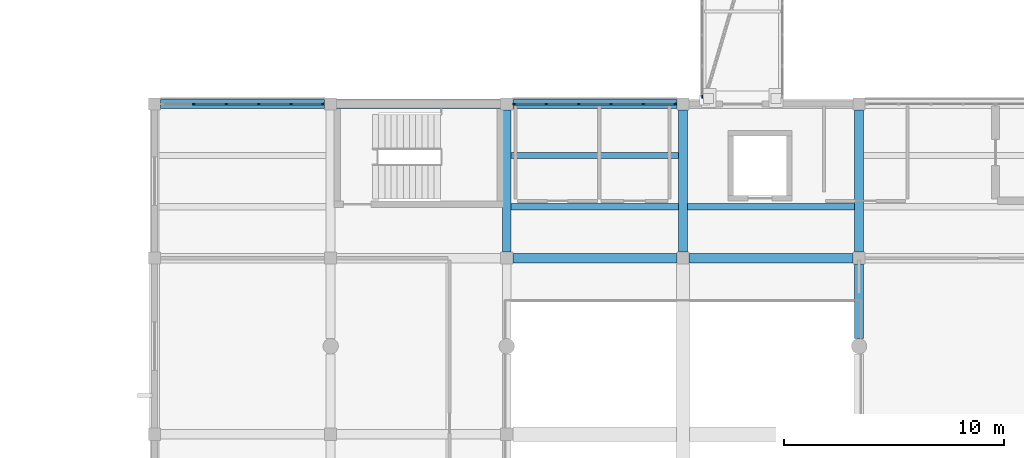
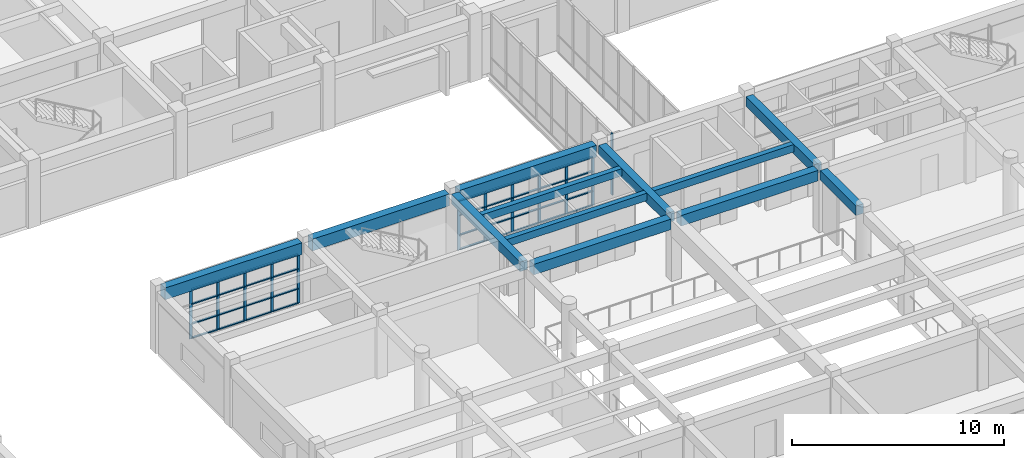
# One storey, part 17 of 66: 48 members, 12 beams, 3 elements without a shape of their own.
"""IFC4 building model written with IfcOpenShell, lengths in metres."""

from ifc_helpers import new_model, si_unit, direction, frame, origin, origin_2d, place, context, subcontext, project, spatial, rectangle, extrude, material, layer, layer_set, material_profile, profile_set, type_object, element, aggregate, save


model = new_model("IFC4")

# Units and contexts
model_context = context("Model", 3, precision=1e-05, world=origin(), true_north=direction((0.0, 1.0)))
body_context = subcontext(model_context, "Body", "Model", "MODEL_VIEW")
ifc_project = project(units=[si_unit("LENGTHUNIT", "METRE"), si_unit("AREAUNIT", "SQUARE_METRE"), si_unit("VOLUMEUNIT", "CUBIC_METRE"), si_unit("PLANEANGLEUNIT", "RADIAN"), si_unit("MASSUNIT", "GRAM", prefix="KILO")], contexts=[model_context])

# Site, building, storey
site_placement = place(None, origin())
site = spatial("IfcSite", under=ifc_project, at=site_placement, CompositionType="ELEMENT")
building_placement = place(site_placement, origin())
building = spatial("IfcBuilding", under=site, at=building_placement, Name="Naurynzar Civic Courthouse", CompositionType="ELEMENT")
storey_placement = place(building_placement, frame((0.0, 0.0, 14.39990234375)))
storey = spatial("IfcBuildingStorey", under=building, at=storey_placement, Name="L04", CompositionType="ELEMENT", Elevation=14.39990234375)

# Beams
ifc_material_1 = material(Name="Concrete C40/50", Category="concrete")
ifc_material_profile_1 = material_profile(ifc_material_1, rectangle(XDim=0.27490234375, YDim=0.425048828125, at=origin_2d()), Name="RCB 275x425")
ifc_profile_set_1 = profile_set([ifc_material_profile_1], Name="Concrete C40/50")
beam_type_1 = type_object("IfcBeamType", Name="BM-JST-275x425", PredefinedType="JOIST", material=ifc_profile_set_1)
for number, where, z_axis, x_axis, name in (
    (1, (85.199951171875, 27.333251953125, 3.34765625), (1.0, 0.0, 0.0), (0.0, 1.0, 0.0), "V3 secondary rib 1562 L04"),
    (2, (85.199951171875, 29.666748046875, 3.34765625), (1.0, 0.0, 0.0), (0.0, 1.0, 0.0), "V3 secondary rib 1563 L04"),
    (3, (93.199951171875, 27.333251953125, 3.34765625), (1.0, 0.0, 0.0), (0.0, 1.0, 0.0), "V3 secondary rib 1564 L04"),
):
    element("IfcBeam", number, at=place(storey_placement, frame(where, z_axis=z_axis, x_axis=x_axis)), inside=storey, type_object=beam_type_1, Name=name, PredefinedType="JOIST", context=body_context, shape_type="SweptSolid", body=[
        extrude(rectangle(XDim=0.27490234375, YDim=0.425048828125, at=origin_2d()), origin(), (0.0, 0.0, 1.0), 7.60009765625),
    ])
ifc_material_2 = material(Name="Concrete C40/50", Category="concrete")
ifc_material_profile_2 = material_profile(ifc_material_2, rectangle(XDim=0.39990234375, YDim=0.550048828125, at=origin_2d()), Name="RCB 400x550")
ifc_profile_set_2 = profile_set([ifc_material_profile_2], Name="Concrete C40/50")
beam_type_2 = type_object("IfcBeamType", Name="BM-RC-400x550", PredefinedType="BEAM", material=ifc_profile_set_2)
for number, where, z_axis, x_axis, name in (
    (4, (85.0, 25.27490234375, 3.28515625), (0.0, 1.0, 0.0), (-1.0, 0.0, 0.0), "V3 girder Y-1532 L04"),
    (5, (93.0, 25.27490234375, 3.28515625), (0.0, 1.0, 0.0), (-1.0, 0.0, 0.0), "V3 girder Y-1535 L04"),
):
    element("IfcBeam", number, at=place(storey_placement, frame(where, z_axis=z_axis, x_axis=x_axis)), inside=storey, type_object=beam_type_2, Name=name, PredefinedType="BEAM", context=body_context, shape_type="SweptSolid", body=[
        extrude(rectangle(XDim=0.39990234375, YDim=0.550048828125, at=origin_2d()), origin(), (0.0, 0.0, 1.0), 6.4501953125),
    ])
beam_1_placement = place(storey_placement, frame((101.0, 21.35009765625, 3.28515625), z_axis=(0.0, 1.0, 0.0), x_axis=(-1.0, 0.0, 0.0)))
element("IfcBeam", 6, at=beam_1_placement, inside=storey, type_object=beam_type_2, Name="V3 girder Y-1539 L04", PredefinedType="BEAM", context=body_context, shape_type="SweptSolid", body=[
    extrude(rectangle(XDim=0.39990234375, YDim=0.550048828125, at=origin_2d()), origin(), (0.0, 0.0, 1.0), 3.375),
])
beam_2_placement = place(storey_placement, frame((101.0, 25.27490234375, 3.28515625), z_axis=(0.0, 1.0, 0.0), x_axis=(-1.0, 0.0, 0.0)))
element("IfcBeam", 7, at=beam_2_placement, inside=storey, type_object=beam_type_2, Name="V3 girder Y-1540 L04", PredefinedType="BEAM", context=body_context, shape_type="SweptSolid", body=[
    extrude(rectangle(XDim=0.39990234375, YDim=0.550048828125, at=origin_2d()), origin(), (0.0, 0.0, 1.0), 6.4501953125),
])
ifc_material_3 = material(Name="Concrete C40/50", Category="concrete")
ifc_material_profile_3 = material_profile(ifc_material_3, rectangle(XDim=0.425048828125, YDim=0.60009765625, at=origin_2d()), Name="RCB 425x600")
ifc_profile_set_3 = profile_set([ifc_material_profile_3], Name="Concrete C40/50")
beam_type_3 = type_object("IfcBeamType", Name="BM-RC-425x600", PredefinedType="BEAM", material=ifc_profile_set_3)
for number, where, z_axis, x_axis, name in (
    (8, (85.27490234375, 25.0, 3.260009765625), (1.0, 0.0, 0.0), (0.0, 1.0, 0.0), "V3 beam X-1509 L04"),
    (9, (93.27490234375, 25.0, 3.260009765625), (1.0, 0.0, 0.0), (0.0, 1.0, 0.0), "V3 beam X-1510 L04"),
):
    element("IfcBeam", number, at=place(storey_placement, frame(where, z_axis=z_axis, x_axis=x_axis)), inside=storey, type_object=beam_type_3, Name=name, PredefinedType="BEAM", context=body_context, shape_type="SweptSolid", body=[
        extrude(rectangle(XDim=0.425048828125, YDim=0.60009765625, at=origin_2d()), origin(), (0.0, 0.0, 1.0), 7.4501953125),
    ])
ifc_material_4 = material(Name="Concrete C40/50", Category="concrete")
ifc_material_profile_4 = material_profile(ifc_material_4, rectangle(XDim=0.425048828125, YDim=0.675048828125, at=origin_2d()), Name="RCB 425x675")
ifc_profile_set_4 = profile_set([ifc_material_profile_4], Name="Concrete C40/50")
beam_type_4 = type_object("IfcBeamType", Name="BM-RC-425x675", PredefinedType="SPANDREL", material=ifc_profile_set_4)
for number, where, z_axis, x_axis, name in (
    (10, (69.27490234375, 32.0, 3.22265625), (1.0, 0.0, 0.0), (0.0, 1.0, 0.0), "V3 beam X-1513 L04"),
    (11, (77.27490234375, 32.0, 3.22265625), (1.0, 0.0, 0.0), (0.0, 1.0, 0.0), "V3 beam X-1514 L04"),
    (12, (85.27490234375, 32.0, 3.22265625), (1.0, 0.0, 0.0), (0.0, 1.0, 0.0), "V3 beam X-1515 L04"),
):
    element("IfcBeam", number, at=place(storey_placement, frame(where, z_axis=z_axis, x_axis=x_axis)), inside=storey, type_object=beam_type_4, Name=name, PredefinedType="SPANDREL", context=body_context, shape_type="SweptSolid", body=[
        extrude(rectangle(XDim=0.425048828125, YDim=0.675048828125, at=origin_2d()), origin(), (0.0, 0.0, 1.0), 7.4501953125),
    ])

# Curtain wall, members
ifc_material_5 = material(Name="Aluminium 6063-T6", Category="aluminium")
ifc_layer_1 = layer(ifc_material_5, 0.179931640625)
ifc_layer_set_1 = layer_set([ifc_layer_1], Name="CW-UNIT-1500")
curtain_wall_type_1 = type_object("IfcCurtainWallType", Name="CW-UNIT-1500", PredefinedType="NOTDEFINED", material=ifc_layer_set_1)
curtain_wall_1_placement = place(storey_placement, origin())
curtain_wall_1 = element("IfcCurtainWall", 13, at=curtain_wall_1_placement, inside=storey, type_object=curtain_wall_type_1, Name="V3 unitised curtain wall 70 L04", PredefinedType="NOTDEFINED")
ifc_material_6 = material(Name="Aluminium 6063-T6", Category="aluminium")
ifc_material_profile_5 = material_profile(ifc_material_6, rectangle(XDim=0.06005859375, YDim=0.14990234375, at=origin_2d()), Name="ALU MULLION 60x150")
ifc_profile_set_5 = profile_set([ifc_material_profile_5], Name="Aluminium 6063-T6")
member_type_1 = type_object("IfcMemberType", Name="CWM-60x150", PredefinedType="MULLION", material=ifc_profile_set_5)
member_1_placement = place(storey_placement, frame((70.794921875, 32.0, 0.0), z_axis=(0.0, 0.0, 1.0), x_axis=(0.0, 1.0, 0.0)))
member_1 = element("IfcMember", 14, at=member_1_placement, type_object=member_type_1, Name="CW-01 mullion 2", PredefinedType="MULLION", context=body_context, shape_type="SweptSolid", body=[
    extrude(rectangle(XDim=0.06005859375, YDim=0.14990234375, at=origin_2d()), origin(), (0.0, 0.0, 1.0), 2.840087890625),
])
member_2_placement = place(storey_placement, frame((72.264892578125, 32.0, 0.0), z_axis=(0.0, 0.0, 1.0), x_axis=(0.0, 1.0, 0.0)))
member_2 = element("IfcMember", 15, at=member_2_placement, type_object=member_type_1, Name="CW-01 mullion 3", PredefinedType="MULLION", context=body_context, shape_type="SweptSolid", body=[
    extrude(rectangle(XDim=0.06005859375, YDim=0.14990234375, at=origin_2d()), origin(), (0.0, 0.0, 1.0), 2.840087890625),
])
member_3_placement = place(storey_placement, frame((73.735107421875, 32.0, 0.0), z_axis=(0.0, 0.0, 1.0), x_axis=(0.0, 1.0, 0.0)))
member_3 = element("IfcMember", 16, at=member_3_placement, type_object=member_type_1, Name="CW-01 mullion 4", PredefinedType="MULLION", context=body_context, shape_type="SweptSolid", body=[
    extrude(rectangle(XDim=0.06005859375, YDim=0.14990234375, at=origin_2d()), origin(), (0.0, 0.0, 1.0), 2.840087890625),
])
member_4_placement = place(storey_placement, frame((75.205078125, 32.0, 0.0), z_axis=(0.0, 0.0, 1.0), x_axis=(0.0, 1.0, 0.0)))
member_4 = element("IfcMember", 17, at=member_4_placement, type_object=member_type_1, Name="CW-01 mullion 5", PredefinedType="MULLION", context=body_context, shape_type="SweptSolid", body=[
    extrude(rectangle(XDim=0.06005859375, YDim=0.14990234375, at=origin_2d()), origin(), (0.0, 0.0, 1.0), 2.840087890625),
])
member_5_placement = place(storey_placement, frame((76.64501953125, 32.0, 0.0), z_axis=(0.0, 0.0, 1.0), x_axis=(0.0, 1.0, 0.0)))
member_5 = element("IfcMember", 18, at=member_5_placement, type_object=member_type_1, Name="CW-01 mullion 6", PredefinedType="MULLION", context=body_context, shape_type="SweptSolid", body=[
    extrude(rectangle(XDim=0.06005859375, YDim=0.14990234375, at=origin_2d()), origin(), (0.0, 0.0, 1.0), 2.840087890625),
])

curtain_wall_2_placement = place(storey_placement, origin())
curtain_wall_2 = element("IfcCurtainWall", 19, at=curtain_wall_2_placement, inside=storey, type_object=curtain_wall_type_1, Name="V3 unitised curtain wall 71 L04", PredefinedType="NOTDEFINED")
member_6_placement = place(storey_placement, frame((85.35498046875, 32.0, 0.0), z_axis=(0.0, 0.0, 1.0), x_axis=(0.0, 1.0, 0.0)))
member_6 = element("IfcMember", 20, at=member_6_placement, type_object=member_type_1, Name="CW-01 mullion 1", PredefinedType="MULLION", context=body_context, shape_type="SweptSolid", body=[
    extrude(rectangle(XDim=0.06005859375, YDim=0.14990234375, at=origin_2d()), origin(), (0.0, 0.0, 1.0), 2.840087890625),
])
member_7_placement = place(storey_placement, frame((86.794921875, 32.0, 0.0), z_axis=(0.0, 0.0, 1.0), x_axis=(0.0, 1.0, 0.0)))
member_7 = element("IfcMember", 21, at=member_7_placement, type_object=member_type_1, Name="CW-01 mullion 2", PredefinedType="MULLION", context=body_context, shape_type="SweptSolid", body=[
    extrude(rectangle(XDim=0.06005859375, YDim=0.14990234375, at=origin_2d()), origin(), (0.0, 0.0, 1.0), 2.840087890625),
])
member_8_placement = place(storey_placement, frame((88.264892578125, 32.0, 0.0), z_axis=(0.0, 0.0, 1.0), x_axis=(0.0, 1.0, 0.0)))
member_8 = element("IfcMember", 22, at=member_8_placement, type_object=member_type_1, Name="CW-01 mullion 3", PredefinedType="MULLION", context=body_context, shape_type="SweptSolid", body=[
    extrude(rectangle(XDim=0.06005859375, YDim=0.14990234375, at=origin_2d()), origin(), (0.0, 0.0, 1.0), 2.840087890625),
])
member_9_placement = place(storey_placement, frame((89.735107421875, 32.0, 0.0), z_axis=(0.0, 0.0, 1.0), x_axis=(0.0, 1.0, 0.0)))
member_9 = element("IfcMember", 23, at=member_9_placement, type_object=member_type_1, Name="CW-01 mullion 4", PredefinedType="MULLION", context=body_context, shape_type="SweptSolid", body=[
    extrude(rectangle(XDim=0.06005859375, YDim=0.14990234375, at=origin_2d()), origin(), (0.0, 0.0, 1.0), 2.840087890625),
])
member_10_placement = place(storey_placement, frame((91.205078125, 32.0, 0.0), z_axis=(0.0, 0.0, 1.0), x_axis=(0.0, 1.0, 0.0)))
member_10 = element("IfcMember", 24, at=member_10_placement, type_object=member_type_1, Name="CW-01 mullion 5", PredefinedType="MULLION", context=body_context, shape_type="SweptSolid", body=[
    extrude(rectangle(XDim=0.06005859375, YDim=0.14990234375, at=origin_2d()), origin(), (0.0, 0.0, 1.0), 2.840087890625),
])
member_11_placement = place(storey_placement, frame((92.64501953125, 32.0, 0.0), z_axis=(0.0, 0.0, 1.0), x_axis=(0.0, 1.0, 0.0)))
member_11 = element("IfcMember", 25, at=member_11_placement, type_object=member_type_1, Name="CW-01 mullion 6", PredefinedType="MULLION", context=body_context, shape_type="SweptSolid", body=[
    extrude(rectangle(XDim=0.06005859375, YDim=0.14990234375, at=origin_2d()), origin(), (0.0, 0.0, 1.0), 2.840087890625),
])

# Curtain wall, member
ifc_material_7 = material(Name="Aluminium 6063-T6", Category="aluminium")
ifc_layer_2 = layer(ifc_material_7, 0.14990234375)
ifc_layer_set_2 = layer_set([ifc_layer_2], Name="CW-BRIDGE-1500")
curtain_wall_type_2 = type_object("IfcCurtainWallType", Name="CW-BRIDGE-1500", PredefinedType="USERDEFINED", material=ifc_layer_set_2)
curtain_wall_3_placement = place(storey_placement, origin())
curtain_wall_3 = element("IfcCurtainWall", 26, at=curtain_wall_3_placement, inside=storey, type_object=curtain_wall_type_2, Name="BR-C1 glazed bridge screen L04.1", ObjectType="GLAZED BRIDGE SCREEN", PredefinedType="USERDEFINED")
member_12_placement = place(storey_placement, frame((93.8798828125, 32.330078125, 0.0), z_axis=(0.0, 0.0, 1.0), x_axis=(1.0, 0.0, 0.0)))
member_12 = element("IfcMember", 27, at=member_12_placement, type_object=member_type_1, Name="CW-03 mullion 9", PredefinedType="MULLION", context=body_context, shape_type="SweptSolid", body=[
    extrude(rectangle(XDim=0.06005859375, YDim=0.14990234375, at=origin_2d()), origin(), (0.0, 0.0, 1.0), 3.52001953125),
])
aggregate(curtain_wall_3, [member_12])

# Member
ifc_material_8 = material(Name="Aluminium 6063-T6", Category="aluminium")
ifc_material_profile_6 = material_profile(ifc_material_8, rectangle(XDim=0.110107421875, YDim=0.06005859375, at=origin_2d()), Name="ALU TRANSOM 60x110")
ifc_profile_set_6 = profile_set([ifc_material_profile_6], Name="Aluminium 6063-T6")
member_type_2 = type_object("IfcMemberType", Name="CWT-60x110", PredefinedType="USERDEFINED", material=ifc_profile_set_6)
member_13_placement = place(storey_placement, frame((70.824951171875, 32.0, 0.030029296875), z_axis=(1.0, 0.0, 0.0), x_axis=(0.0, 1.0, 0.0)))
member_13 = element("IfcMember", 28, at=member_13_placement, type_object=member_type_2, Name="CW-01 transom 2.1", ObjectType="TRANSOM", PredefinedType="USERDEFINED", context=body_context, shape_type="SweptSolid", body=[
    extrude(rectangle(XDim=0.110107421875, YDim=0.06005859375, at=origin_2d()), origin(), (0.0, 0.0, 1.0), 1.41015625),
])

member_14_placement = place(storey_placement, frame((70.824951171875, 32.0, 0.85009765625), z_axis=(1.0, 0.0, 0.0), x_axis=(0.0, 1.0, 0.0)))
member_14 = element("IfcMember", 29, at=member_14_placement, type_object=member_type_2, Name="CW-01 transom 2.2", ObjectType="TRANSOM", PredefinedType="USERDEFINED", context=body_context, shape_type="SweptSolid", body=[
    extrude(rectangle(XDim=0.110107421875, YDim=0.06005859375, at=origin_2d()), origin(), (0.0, 0.0, 1.0), 1.41015625),
])

member_15_placement = place(storey_placement, frame((70.824951171875, 32.0, 1.989990234375), z_axis=(1.0, 0.0, 0.0), x_axis=(0.0, 1.0, 0.0)))
member_15 = element("IfcMember", 30, at=member_15_placement, type_object=member_type_2, Name="CW-01 transom 2.3", ObjectType="TRANSOM", PredefinedType="USERDEFINED", context=body_context, shape_type="SweptSolid", body=[
    extrude(rectangle(XDim=0.110107421875, YDim=0.06005859375, at=origin_2d()), origin(), (0.0, 0.0, 1.0), 1.41015625),
])

member_16_placement = place(storey_placement, frame((70.824951171875, 32.0, 2.81005859375), z_axis=(1.0, 0.0, 0.0), x_axis=(0.0, 1.0, 0.0)))
member_16 = element("IfcMember", 31, at=member_16_placement, type_object=member_type_2, Name="CW-01 transom 2.4", ObjectType="TRANSOM", PredefinedType="USERDEFINED", context=body_context, shape_type="SweptSolid", body=[
    extrude(rectangle(XDim=0.110107421875, YDim=0.06005859375, at=origin_2d()), origin(), (0.0, 0.0, 1.0), 1.41015625),
])

member_17_placement = place(storey_placement, frame((72.294921875, 32.0, 0.030029296875), z_axis=(1.0, 0.0, 0.0), x_axis=(0.0, 1.0, 0.0)))
member_17 = element("IfcMember", 32, at=member_17_placement, type_object=member_type_2, Name="CW-01 transom 3.1", ObjectType="TRANSOM", PredefinedType="USERDEFINED", context=body_context, shape_type="SweptSolid", body=[
    extrude(rectangle(XDim=0.110107421875, YDim=0.06005859375, at=origin_2d()), origin(), (0.0, 0.0, 1.0), 1.41015625),
])

member_18_placement = place(storey_placement, frame((72.294921875, 32.0, 0.85009765625), z_axis=(1.0, 0.0, 0.0), x_axis=(0.0, 1.0, 0.0)))
member_18 = element("IfcMember", 33, at=member_18_placement, type_object=member_type_2, Name="CW-01 transom 3.2", ObjectType="TRANSOM", PredefinedType="USERDEFINED", context=body_context, shape_type="SweptSolid", body=[
    extrude(rectangle(XDim=0.110107421875, YDim=0.06005859375, at=origin_2d()), origin(), (0.0, 0.0, 1.0), 1.41015625),
])

member_19_placement = place(storey_placement, frame((72.294921875, 32.0, 1.989990234375), z_axis=(1.0, 0.0, 0.0), x_axis=(0.0, 1.0, 0.0)))
member_19 = element("IfcMember", 34, at=member_19_placement, type_object=member_type_2, Name="CW-01 transom 3.3", ObjectType="TRANSOM", PredefinedType="USERDEFINED", context=body_context, shape_type="SweptSolid", body=[
    extrude(rectangle(XDim=0.110107421875, YDim=0.06005859375, at=origin_2d()), origin(), (0.0, 0.0, 1.0), 1.41015625),
])

member_20_placement = place(storey_placement, frame((72.294921875, 32.0, 2.81005859375), z_axis=(1.0, 0.0, 0.0), x_axis=(0.0, 1.0, 0.0)))
member_20 = element("IfcMember", 35, at=member_20_placement, type_object=member_type_2, Name="CW-01 transom 3.4", ObjectType="TRANSOM", PredefinedType="USERDEFINED", context=body_context, shape_type="SweptSolid", body=[
    extrude(rectangle(XDim=0.110107421875, YDim=0.06005859375, at=origin_2d()), origin(), (0.0, 0.0, 1.0), 1.41015625),
])

member_21_placement = place(storey_placement, frame((73.764892578125, 32.0, 0.030029296875), z_axis=(1.0, 0.0, 0.0), x_axis=(0.0, 1.0, 0.0)))
member_21 = element("IfcMember", 36, at=member_21_placement, type_object=member_type_2, Name="CW-01 transom 4.1", ObjectType="TRANSOM", PredefinedType="USERDEFINED", context=body_context, shape_type="SweptSolid", body=[
    extrude(rectangle(XDim=0.110107421875, YDim=0.06005859375, at=origin_2d()), origin(), (0.0, 0.0, 1.0), 1.41015625),
])

member_22_placement = place(storey_placement, frame((73.764892578125, 32.0, 0.85009765625), z_axis=(1.0, 0.0, 0.0), x_axis=(0.0, 1.0, 0.0)))
member_22 = element("IfcMember", 37, at=member_22_placement, type_object=member_type_2, Name="CW-01 transom 4.2", ObjectType="TRANSOM", PredefinedType="USERDEFINED", context=body_context, shape_type="SweptSolid", body=[
    extrude(rectangle(XDim=0.110107421875, YDim=0.06005859375, at=origin_2d()), origin(), (0.0, 0.0, 1.0), 1.41015625),
])

member_23_placement = place(storey_placement, frame((73.764892578125, 32.0, 1.989990234375), z_axis=(1.0, 0.0, 0.0), x_axis=(0.0, 1.0, 0.0)))
member_23 = element("IfcMember", 38, at=member_23_placement, type_object=member_type_2, Name="CW-01 transom 4.3", ObjectType="TRANSOM", PredefinedType="USERDEFINED", context=body_context, shape_type="SweptSolid", body=[
    extrude(rectangle(XDim=0.110107421875, YDim=0.06005859375, at=origin_2d()), origin(), (0.0, 0.0, 1.0), 1.41015625),
])

member_24_placement = place(storey_placement, frame((73.764892578125, 32.0, 2.81005859375), z_axis=(1.0, 0.0, 0.0), x_axis=(0.0, 1.0, 0.0)))
member_24 = element("IfcMember", 39, at=member_24_placement, type_object=member_type_2, Name="CW-01 transom 4.4", ObjectType="TRANSOM", PredefinedType="USERDEFINED", context=body_context, shape_type="SweptSolid", body=[
    extrude(rectangle(XDim=0.110107421875, YDim=0.06005859375, at=origin_2d()), origin(), (0.0, 0.0, 1.0), 1.41015625),
])

member_25_placement = place(storey_placement, frame((75.235107421875, 32.0, 0.030029296875), z_axis=(1.0, 0.0, 0.0), x_axis=(0.0, 1.0, 0.0)))
member_25 = element("IfcMember", 40, at=member_25_placement, type_object=member_type_2, Name="CW-01 transom 5.1", ObjectType="TRANSOM", PredefinedType="USERDEFINED", context=body_context, shape_type="SweptSolid", body=[
    extrude(rectangle(XDim=0.110107421875, YDim=0.06005859375, at=origin_2d()), origin(), (0.0, 0.0, 1.0), 1.3798828125),
])

member_26_placement = place(storey_placement, frame((75.235107421875, 32.0, 0.85009765625), z_axis=(1.0, 0.0, 0.0), x_axis=(0.0, 1.0, 0.0)))
member_26 = element("IfcMember", 41, at=member_26_placement, type_object=member_type_2, Name="CW-01 transom 5.2", ObjectType="TRANSOM", PredefinedType="USERDEFINED", context=body_context, shape_type="SweptSolid", body=[
    extrude(rectangle(XDim=0.110107421875, YDim=0.06005859375, at=origin_2d()), origin(), (0.0, 0.0, 1.0), 1.3798828125),
])

member_27_placement = place(storey_placement, frame((75.235107421875, 32.0, 1.989990234375), z_axis=(1.0, 0.0, 0.0), x_axis=(0.0, 1.0, 0.0)))
member_27 = element("IfcMember", 42, at=member_27_placement, type_object=member_type_2, Name="CW-01 transom 5.3", ObjectType="TRANSOM", PredefinedType="USERDEFINED", context=body_context, shape_type="SweptSolid", body=[
    extrude(rectangle(XDim=0.110107421875, YDim=0.06005859375, at=origin_2d()), origin(), (0.0, 0.0, 1.0), 1.3798828125),
])

member_28_placement = place(storey_placement, frame((75.235107421875, 32.0, 2.81005859375), z_axis=(1.0, 0.0, 0.0), x_axis=(0.0, 1.0, 0.0)))
member_28 = element("IfcMember", 43, at=member_28_placement, type_object=member_type_2, Name="CW-01 transom 5.4", ObjectType="TRANSOM", PredefinedType="USERDEFINED", context=body_context, shape_type="SweptSolid", body=[
    extrude(rectangle(XDim=0.110107421875, YDim=0.06005859375, at=origin_2d()), origin(), (0.0, 0.0, 1.0), 1.3798828125),
])

aggregate(curtain_wall_1, [member_1, member_2, member_3, member_4, member_5, member_13, member_14, member_15, member_16, member_17, member_18, member_19, member_20, member_21, member_22, member_23, member_24, member_25, member_26, member_27, member_28])

member_29_placement = place(storey_placement, frame((85.385009765625, 32.0, 0.030029296875), z_axis=(1.0, 0.0, 0.0), x_axis=(0.0, 1.0, 0.0)))
member_29 = element("IfcMember", 44, at=member_29_placement, type_object=member_type_2, Name="CW-01 transom 1.1", ObjectType="TRANSOM", PredefinedType="USERDEFINED", context=body_context, shape_type="SweptSolid", body=[
    extrude(rectangle(XDim=0.110107421875, YDim=0.06005859375, at=origin_2d()), origin(), (0.0, 0.0, 1.0), 1.3798828125),
])

member_30_placement = place(storey_placement, frame((85.385009765625, 32.0, 0.85009765625), z_axis=(1.0, 0.0, 0.0), x_axis=(0.0, 1.0, 0.0)))
member_30 = element("IfcMember", 45, at=member_30_placement, type_object=member_type_2, Name="CW-01 transom 1.2", ObjectType="TRANSOM", PredefinedType="USERDEFINED", context=body_context, shape_type="SweptSolid", body=[
    extrude(rectangle(XDim=0.110107421875, YDim=0.06005859375, at=origin_2d()), origin(), (0.0, 0.0, 1.0), 1.3798828125),
])

member_31_placement = place(storey_placement, frame((85.385009765625, 32.0, 1.989990234375), z_axis=(1.0, 0.0, 0.0), x_axis=(0.0, 1.0, 0.0)))
member_31 = element("IfcMember", 46, at=member_31_placement, type_object=member_type_2, Name="CW-01 transom 1.3", ObjectType="TRANSOM", PredefinedType="USERDEFINED", context=body_context, shape_type="SweptSolid", body=[
    extrude(rectangle(XDim=0.110107421875, YDim=0.06005859375, at=origin_2d()), origin(), (0.0, 0.0, 1.0), 1.3798828125),
])

member_32_placement = place(storey_placement, frame((85.385009765625, 32.0, 2.81005859375), z_axis=(1.0, 0.0, 0.0), x_axis=(0.0, 1.0, 0.0)))
member_32 = element("IfcMember", 47, at=member_32_placement, type_object=member_type_2, Name="CW-01 transom 1.4", ObjectType="TRANSOM", PredefinedType="USERDEFINED", context=body_context, shape_type="SweptSolid", body=[
    extrude(rectangle(XDim=0.110107421875, YDim=0.06005859375, at=origin_2d()), origin(), (0.0, 0.0, 1.0), 1.3798828125),
])

member_33_placement = place(storey_placement, frame((86.824951171875, 32.0, 0.030029296875), z_axis=(1.0, 0.0, 0.0), x_axis=(0.0, 1.0, 0.0)))
member_33 = element("IfcMember", 48, at=member_33_placement, type_object=member_type_2, Name="CW-01 transom 2.1", ObjectType="TRANSOM", PredefinedType="USERDEFINED", context=body_context, shape_type="SweptSolid", body=[
    extrude(rectangle(XDim=0.110107421875, YDim=0.06005859375, at=origin_2d()), origin(), (0.0, 0.0, 1.0), 1.41015625),
])

member_34_placement = place(storey_placement, frame((86.824951171875, 32.0, 0.85009765625), z_axis=(1.0, 0.0, 0.0), x_axis=(0.0, 1.0, 0.0)))
member_34 = element("IfcMember", 49, at=member_34_placement, type_object=member_type_2, Name="CW-01 transom 2.2", ObjectType="TRANSOM", PredefinedType="USERDEFINED", context=body_context, shape_type="SweptSolid", body=[
    extrude(rectangle(XDim=0.110107421875, YDim=0.06005859375, at=origin_2d()), origin(), (0.0, 0.0, 1.0), 1.41015625),
])

member_35_placement = place(storey_placement, frame((86.824951171875, 32.0, 1.989990234375), z_axis=(1.0, 0.0, 0.0), x_axis=(0.0, 1.0, 0.0)))
member_35 = element("IfcMember", 50, at=member_35_placement, type_object=member_type_2, Name="CW-01 transom 2.3", ObjectType="TRANSOM", PredefinedType="USERDEFINED", context=body_context, shape_type="SweptSolid", body=[
    extrude(rectangle(XDim=0.110107421875, YDim=0.06005859375, at=origin_2d()), origin(), (0.0, 0.0, 1.0), 1.41015625),
])

member_36_placement = place(storey_placement, frame((86.824951171875, 32.0, 2.81005859375), z_axis=(1.0, 0.0, 0.0), x_axis=(0.0, 1.0, 0.0)))
member_36 = element("IfcMember", 51, at=member_36_placement, type_object=member_type_2, Name="CW-01 transom 2.4", ObjectType="TRANSOM", PredefinedType="USERDEFINED", context=body_context, shape_type="SweptSolid", body=[
    extrude(rectangle(XDim=0.110107421875, YDim=0.06005859375, at=origin_2d()), origin(), (0.0, 0.0, 1.0), 1.41015625),
])

member_37_placement = place(storey_placement, frame((88.294921875, 32.0, 0.030029296875), z_axis=(1.0, 0.0, 0.0), x_axis=(0.0, 1.0, 0.0)))
member_37 = element("IfcMember", 52, at=member_37_placement, type_object=member_type_2, Name="CW-01 transom 3.1", ObjectType="TRANSOM", PredefinedType="USERDEFINED", context=body_context, shape_type="SweptSolid", body=[
    extrude(rectangle(XDim=0.110107421875, YDim=0.06005859375, at=origin_2d()), origin(), (0.0, 0.0, 1.0), 1.41015625),
])

member_38_placement = place(storey_placement, frame((88.294921875, 32.0, 0.85009765625), z_axis=(1.0, 0.0, 0.0), x_axis=(0.0, 1.0, 0.0)))
member_38 = element("IfcMember", 53, at=member_38_placement, type_object=member_type_2, Name="CW-01 transom 3.2", ObjectType="TRANSOM", PredefinedType="USERDEFINED", context=body_context, shape_type="SweptSolid", body=[
    extrude(rectangle(XDim=0.110107421875, YDim=0.06005859375, at=origin_2d()), origin(), (0.0, 0.0, 1.0), 1.41015625),
])

member_39_placement = place(storey_placement, frame((88.294921875, 32.0, 1.989990234375), z_axis=(1.0, 0.0, 0.0), x_axis=(0.0, 1.0, 0.0)))
member_39 = element("IfcMember", 54, at=member_39_placement, type_object=member_type_2, Name="CW-01 transom 3.3", ObjectType="TRANSOM", PredefinedType="USERDEFINED", context=body_context, shape_type="SweptSolid", body=[
    extrude(rectangle(XDim=0.110107421875, YDim=0.06005859375, at=origin_2d()), origin(), (0.0, 0.0, 1.0), 1.41015625),
])

member_40_placement = place(storey_placement, frame((88.294921875, 32.0, 2.81005859375), z_axis=(1.0, 0.0, 0.0), x_axis=(0.0, 1.0, 0.0)))
member_40 = element("IfcMember", 55, at=member_40_placement, type_object=member_type_2, Name="CW-01 transom 3.4", ObjectType="TRANSOM", PredefinedType="USERDEFINED", context=body_context, shape_type="SweptSolid", body=[
    extrude(rectangle(XDim=0.110107421875, YDim=0.06005859375, at=origin_2d()), origin(), (0.0, 0.0, 1.0), 1.41015625),
])

member_41_placement = place(storey_placement, frame((89.764892578125, 32.0, 0.030029296875), z_axis=(1.0, 0.0, 0.0), x_axis=(0.0, 1.0, 0.0)))
member_41 = element("IfcMember", 56, at=member_41_placement, type_object=member_type_2, Name="CW-01 transom 4.1", ObjectType="TRANSOM", PredefinedType="USERDEFINED", context=body_context, shape_type="SweptSolid", body=[
    extrude(rectangle(XDim=0.110107421875, YDim=0.06005859375, at=origin_2d()), origin(), (0.0, 0.0, 1.0), 1.41015625),
])

member_42_placement = place(storey_placement, frame((89.764892578125, 32.0, 0.85009765625), z_axis=(1.0, 0.0, 0.0), x_axis=(0.0, 1.0, 0.0)))
member_42 = element("IfcMember", 57, at=member_42_placement, type_object=member_type_2, Name="CW-01 transom 4.2", ObjectType="TRANSOM", PredefinedType="USERDEFINED", context=body_context, shape_type="SweptSolid", body=[
    extrude(rectangle(XDim=0.110107421875, YDim=0.06005859375, at=origin_2d()), origin(), (0.0, 0.0, 1.0), 1.41015625),
])

member_43_placement = place(storey_placement, frame((89.764892578125, 32.0, 1.989990234375), z_axis=(1.0, 0.0, 0.0), x_axis=(0.0, 1.0, 0.0)))
member_43 = element("IfcMember", 58, at=member_43_placement, type_object=member_type_2, Name="CW-01 transom 4.3", ObjectType="TRANSOM", PredefinedType="USERDEFINED", context=body_context, shape_type="SweptSolid", body=[
    extrude(rectangle(XDim=0.110107421875, YDim=0.06005859375, at=origin_2d()), origin(), (0.0, 0.0, 1.0), 1.41015625),
])

member_44_placement = place(storey_placement, frame((89.764892578125, 32.0, 2.81005859375), z_axis=(1.0, 0.0, 0.0), x_axis=(0.0, 1.0, 0.0)))
member_44 = element("IfcMember", 59, at=member_44_placement, type_object=member_type_2, Name="CW-01 transom 4.4", ObjectType="TRANSOM", PredefinedType="USERDEFINED", context=body_context, shape_type="SweptSolid", body=[
    extrude(rectangle(XDim=0.110107421875, YDim=0.06005859375, at=origin_2d()), origin(), (0.0, 0.0, 1.0), 1.41015625),
])

member_45_placement = place(storey_placement, frame((91.235107421875, 32.0, 0.030029296875), z_axis=(1.0, 0.0, 0.0), x_axis=(0.0, 1.0, 0.0)))
member_45 = element("IfcMember", 60, at=member_45_placement, type_object=member_type_2, Name="CW-01 transom 5.1", ObjectType="TRANSOM", PredefinedType="USERDEFINED", context=body_context, shape_type="SweptSolid", body=[
    extrude(rectangle(XDim=0.110107421875, YDim=0.06005859375, at=origin_2d()), origin(), (0.0, 0.0, 1.0), 1.3798828125),
])

member_46_placement = place(storey_placement, frame((91.235107421875, 32.0, 0.85009765625), z_axis=(1.0, 0.0, 0.0), x_axis=(0.0, 1.0, 0.0)))
member_46 = element("IfcMember", 61, at=member_46_placement, type_object=member_type_2, Name="CW-01 transom 5.2", ObjectType="TRANSOM", PredefinedType="USERDEFINED", context=body_context, shape_type="SweptSolid", body=[
    extrude(rectangle(XDim=0.110107421875, YDim=0.06005859375, at=origin_2d()), origin(), (0.0, 0.0, 1.0), 1.3798828125),
])

member_47_placement = place(storey_placement, frame((91.235107421875, 32.0, 1.989990234375), z_axis=(1.0, 0.0, 0.0), x_axis=(0.0, 1.0, 0.0)))
member_47 = element("IfcMember", 62, at=member_47_placement, type_object=member_type_2, Name="CW-01 transom 5.3", ObjectType="TRANSOM", PredefinedType="USERDEFINED", context=body_context, shape_type="SweptSolid", body=[
    extrude(rectangle(XDim=0.110107421875, YDim=0.06005859375, at=origin_2d()), origin(), (0.0, 0.0, 1.0), 1.3798828125),
])

member_48_placement = place(storey_placement, frame((91.235107421875, 32.0, 2.81005859375), z_axis=(1.0, 0.0, 0.0), x_axis=(0.0, 1.0, 0.0)))
member_48 = element("IfcMember", 63, at=member_48_placement, type_object=member_type_2, Name="CW-01 transom 5.4", ObjectType="TRANSOM", PredefinedType="USERDEFINED", context=body_context, shape_type="SweptSolid", body=[
    extrude(rectangle(XDim=0.110107421875, YDim=0.06005859375, at=origin_2d()), origin(), (0.0, 0.0, 1.0), 1.3798828125),
])

aggregate(curtain_wall_2, [member_6, member_7, member_8, member_9, member_10, member_11, member_29, member_30, member_31, member_32, member_33, member_34, member_35, member_36, member_37, member_38, member_39, member_40, member_41, member_42, member_43, member_44, member_45, member_46, member_47, member_48])

save(model, "model.ifc")
